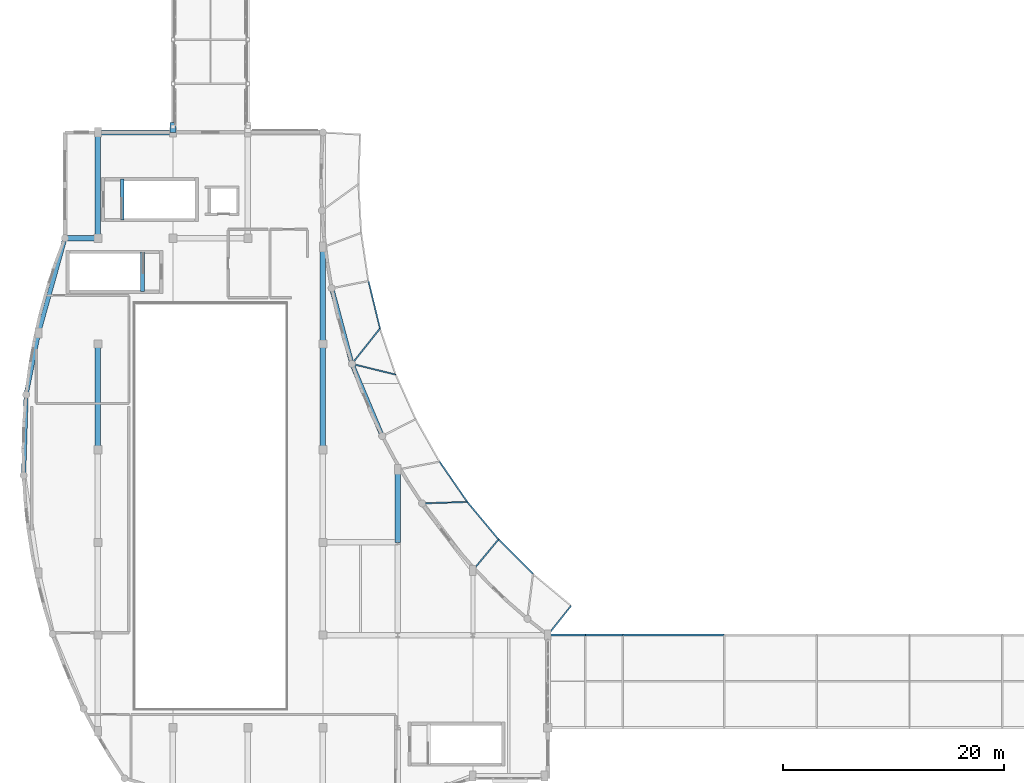
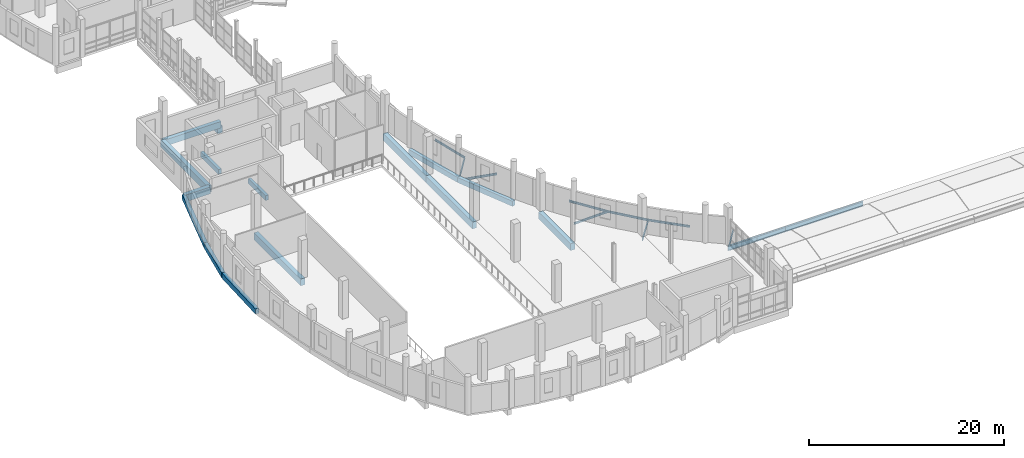
# One storey, part 13 of 106: 27 beams.
"""IFC4 building model written with IfcOpenShell, lengths in metres."""

import ifcopenshell
import ifcopenshell.guid

model = None  # the IFC model being written
_history = None  # IfcOwnerHistory: only IFC2X3 demands one
_inside = {}  # id of a spatial element -> (the spatial element, [elements in it])
_under = {}  # id of a project, library or spatial element -> (it, [spatial elements below it])
_declared = {}  # id of a project -> (the project, [libraries it declares])
_typed = {}  # id of a type object -> (the type object, [elements of that type])
_made_of = {}  # id of a material, layer set ... -> (it, [elements and type objects made of it])


def new_model(schema):
    """Start an empty IFC model of exactly this schema.

    Asked for "IFC4X3", IfcOpenShell would pick the latest addendum, in which some entities
    have other attributes; the version numbers below select the first issue.
    IFC2X3 requires an IfcOwnerHistory on every rooted entity: one is made here for all.
    """
    global model, _history
    if schema == "IFC4X3":
        model = ifcopenshell.file(schema_version=(4, 3, 0, 0))
    else:
        model = ifcopenshell.file(schema=schema)
    _inside.clear()
    _under.clear()
    _declared.clear()
    _typed.clear()
    _made_of.clear()
    _history = None
    if model.schema == "IFC2X3":
        org = make("IfcOrganization", Name="unknown")
        user = make(
            "IfcPersonAndOrganization",
            ThePerson=make("IfcPerson", FamilyName="unknown"),
            TheOrganization=org,
        )
        app = make(
            "IfcApplication",
            ApplicationDeveloper=org,
            Version="unknown",
            ApplicationFullName="unknown",
            ApplicationIdentifier="unknown",
        )
        _history = make(
            "IfcOwnerHistory",
            OwningUser=user,
            OwningApplication=app,
            ChangeAction="ADDED",
            CreationDate=0,
        )
    return model


def make(cls, **values):
    """One entity of the class cls with the attributes given. An attribute that is None is left unset."""
    return model.create_entity(
        cls, **{name: value for name, value in values.items() if value is not None}
    )


def rooted(cls, **values):
    """An entity with a GlobalId (a new one), such as an element, a storey or a relation."""
    return make(cls, GlobalId=ifcopenshell.guid.new(), OwnerHistory=_history, **values)


def si_unit(unit_type, name, prefix=None):
    """IfcSIUnit, for example si_unit("LENGTHUNIT", "METRE", prefix="MILLI")."""
    return make("IfcSIUnit", UnitType=unit_type, Prefix=prefix, Name=name)


def assignment(units):
    """IfcUnitAssignment: the units of a project."""
    return None if units is None else make("IfcUnitAssignment", Units=units)


def point(xyz):
    """IfcCartesianPoint."""
    return None if xyz is None else make("IfcCartesianPoint", Coordinates=xyz)


def direction(xyz):
    """IfcDirection."""
    return None if xyz is None else make("IfcDirection", DirectionRatios=xyz)


def frame(location, z_axis=None, x_axis=None):
    """IfcAxis2Placement3D, a coordinate frame: its origin and axes. An axis left out is left unset."""
    return make(
        "IfcAxis2Placement3D",
        Location=point(location),
        Axis=direction(z_axis),
        RefDirection=direction(x_axis),
    )


def frame_2d(location, x_axis=None):
    """IfcAxis2Placement2D, a coordinate frame in the plane: its origin and x axis."""
    return make(
        "IfcAxis2Placement2D", Location=point(location), RefDirection=direction(x_axis)
    )


def origin():
    """The frame at (0, 0, 0) with its axes left unset."""
    return frame((0.0, 0.0, 0.0))


def origin_2d():
    """The frame at (0, 0) in the plane with its x axis left unset."""
    return frame_2d((0.0, 0.0))


def place(relative_to, where):
    """IfcLocalPlacement: puts the frame where relative to a parent placement (None: the world)."""
    return make(
        "IfcLocalPlacement", PlacementRelTo=relative_to, RelativePlacement=where
    )


def context(
    kind, dimensions, precision=None, world=None, true_north=None, identifier=None
):
    """IfcGeometricRepresentationContext, for example the 3D "Model" context."""
    return make(
        "IfcGeometricRepresentationContext",
        ContextIdentifier=identifier,
        ContextType=kind,
        CoordinateSpaceDimension=dimensions,
        Precision=precision,
        WorldCoordinateSystem=world,
        TrueNorth=true_north,
    )


def subcontext(parent, identifier, kind, view, scale=None):
    """IfcGeometricRepresentationSubContext, for example "Body" below "Model"."""
    return make(
        "IfcGeometricRepresentationSubContext",
        ContextIdentifier=identifier,
        ContextType=kind,
        ParentContext=parent,
        TargetScale=scale,
        TargetView=view,
    )


def project(units=None, contexts=None):
    """IfcProject with its units and contexts."""
    return rooted(
        "IfcProject",
        Name="project",
        RepresentationContexts=contexts,
        UnitsInContext=assignment(units),
    )


def spatial(cls, under=None, at=None, **own):
    """A site, building, storey or space (cls), placed at a placement, below another one or the project."""
    s = rooted(cls, ObjectPlacement=at, **own)
    if under is not None:
        _under.setdefault(under.id(), (under, []))[1].append(s)
    return s


def profile(cls, at=None, kind="AREA", **sizes):
    """A parametric profile (cls). Its sizes go by their IFC names, for example OverallWidth=200.0."""
    return make(cls, ProfileType=kind, Position=at, **sizes)


def rectangle(**sizes):
    """IfcRectangleProfileDef."""
    return profile("IfcRectangleProfileDef", **sizes)


def i_section(**sizes):
    """IfcIShapeProfileDef."""
    return profile("IfcIShapeProfileDef", **sizes)


def extrude(swept, where, along, depth):
    """IfcExtrudedAreaSolid: the profile swept, set in the frame where, extruded along a direction by depth."""
    return make(
        "IfcExtrudedAreaSolid",
        SweptArea=swept,
        Position=where,
        ExtrudedDirection=direction(along),
        Depth=depth,
    )


def shape(context_of_items, identifier, shape_type, items):
    """IfcShapeRepresentation: the items that make up one representation, for example the "Body"."""
    return make(
        "IfcShapeRepresentation",
        ContextOfItems=context_of_items,
        RepresentationIdentifier=identifier,
        RepresentationType=shape_type,
        Items=items,
    )


def material(Name=None, Category=None):
    """IfcMaterial."""
    return make("IfcMaterial", Name=Name, Category=Category)


def material_profile(
    of_material, cross_section, Name=None, Category=None, Priority=None
):
    """IfcMaterialProfile: a cross section and its material."""
    return make(
        "IfcMaterialProfile",
        Name=Name,
        Material=of_material,
        Profile=cross_section,
        Priority=Priority,
        Category=Category,
    )


def profile_set(profiles, Name=None, composite=None):
    """IfcMaterialProfileSet."""
    return make(
        "IfcMaterialProfileSet",
        Name=Name,
        MaterialProfiles=profiles,
        CompositeProfile=composite,
    )


def made_of(thing, what):
    """Note that an element or type object is made of a material, layer set ...; save() writes the relation."""
    if what is not None:
        _made_of.setdefault(what.id(), (what, []))[1].append(thing)
    return thing


def type_object(cls, material=None, **own):
    """A type object (cls), such as IfcWallType, which elements share."""
    return made_of(rooted(cls, **own), material)


def element(
    cls,
    number,
    at=None,
    inside=None,
    cuts=None,
    type_object=None,
    material=None,
    context=None,
    identifier="Body",
    shape_type=None,
    held_by="IfcProductDefinitionShape",
    body=None,
    shapes=None,
    **own,
):
    """One element of the class cls, such as IfcWall. Its Tag is "e" and its number.

    at: its placement. inside: the storey or other place that contains it. cuts: it is an
    opening in that element (IfcRelVoidsElement). A single representation is given by context,
    identifier, shape_type and body (its items); several are given by shapes. held_by: the class
    of the entity that holds the representations. save() writes the other relations.
    """
    e = rooted(cls, Tag="e%d" % number, ObjectPlacement=at, **own)
    if body is not None:
        shapes = [shape(context, identifier, shape_type, body)]
    if shapes is not None:
        e.Representation = make(held_by, Representations=shapes)
    if inside is not None:
        _inside.setdefault(inside.id(), (inside, []))[1].append(e)
    if cuts is not None:
        rooted(
            "IfcRelVoidsElement", RelatingBuildingElement=cuts, RelatedOpeningElement=e
        )
    if type_object is not None:
        _typed.setdefault(type_object.id(), (type_object, []))[1].append(e)
    return made_of(e, material)


def aggregate(whole, parts):
    """IfcRelAggregates: a whole, such as a stair, and the parts it consists of."""
    return rooted("IfcRelAggregates", RelatingObject=whole, RelatedObjects=parts)


def save(model, path):
    """Write the relations noted so far, then the file.

    IfcRelAggregates (storeys below a building ...), IfcRelContainedInSpatialStructure (elements
    in a storey), IfcRelDefinesByType, IfcRelAssociatesMaterial and IfcRelDeclares: one each for
    every whole, place, type object, material and project.
    """
    for whole, parts in _under.values():
        aggregate(whole, parts)
    for where, things in _inside.values():
        rooted(
            "IfcRelContainedInSpatialStructure",
            RelatedElements=things,
            RelatingStructure=where,
        )
    for kind, things in _typed.values():
        rooted("IfcRelDefinesByType", RelatedObjects=things, RelatingType=kind)
    for what, things in _made_of.values():
        rooted("IfcRelAssociatesMaterial", RelatedObjects=things, RelatingMaterial=what)
    for by, libraries in _declared.values():
        rooted("IfcRelDeclares", RelatingContext=by, RelatedDefinitions=libraries)
    model.write(path)


model = new_model("IFC4")

# Units and contexts
model_context = context("Model", 3, precision=1e-05, world=origin(), true_north=direction((0.0, 1.0)))
body_context = subcontext(model_context, "Body", "Model", "MODEL_VIEW")
ifc_project = project(units=[si_unit("LENGTHUNIT", "METRE"), si_unit("AREAUNIT", "SQUARE_METRE"), si_unit("VOLUMEUNIT", "CUBIC_METRE"), si_unit("PLANEANGLEUNIT", "RADIAN"), si_unit("MASSUNIT", "GRAM", prefix="KILO")], contexts=[model_context])

# Site, building, storey
site_placement = place(None, origin())
site = spatial("IfcSite", under=ifc_project, at=site_placement, CompositionType="ELEMENT")
building_placement = place(site_placement, origin())
building = spatial("IfcBuilding", under=site, at=building_placement, Name="Kisaragi Civic Commons", CompositionType="ELEMENT")
storey_placement = place(building_placement, frame((0.0, 0.0, 4.800048828125)))
storey = spatial("IfcBuildingStorey", under=building, at=storey_placement, Name="L01", CompositionType="ELEMENT", Elevation=4.800048828125)

# Beams
ifc_material_1 = material(Name="Concrete Fc36", Category="concrete")
ifc_material_profile_1 = material_profile(ifc_material_1, rectangle(XDim=0.550048828125, YDim=0.85009765625, at=origin_2d()), Name="RC-550x850", Category="concrete")
ifc_profile_set_1 = profile_set([ifc_material_profile_1], Name="Concrete Fc36")
beam_type_1 = type_object("IfcBeamType", Name="CB-01", PredefinedType="BEAM", material=ifc_profile_set_1)
beam_1_placement = place(storey_placement, frame((13.60009765625, 62.39990234375, -1.4951171875), z_axis=(0.0, 1.0, 0.0), x_axis=(-1.0, 0.0, 0.0)))
element("IfcBeam", 1, at=beam_1_placement, inside=storey, type_object=beam_type_1, Name="BR-V2-V1 L01 seismic corbel 65", PredefinedType="BEAM", context=body_context, shape_type="SweptSolid", body=[
    extrude(rectangle(XDim=0.550048828125, YDim=0.85009765625, at=origin_2d()), origin(), (0.0, 0.0, 1.0), 0.8701171875),
])
ifc_material_2 = material(Name="Concrete Fc30", Category="concrete")
ifc_material_profile_2 = material_profile(ifc_material_2, rectangle(XDim=0.5, YDim=0.85009765625, at=origin_2d()), Name="RC-500x850", Category="concrete")
ifc_profile_set_2 = profile_set([ifc_material_profile_2], Name="Concrete Fc30")
beam_type_2 = type_object("IfcBeamType", Name="G-02", PredefinedType="BEAM", material=ifc_profile_set_2)
beam_2_placement = place(storey_placement, frame((3.800048828125, 52.800048828125, -0.72998046875), z_axis=(1.0, 0.0, 0.0), x_axis=(0.0, 1.0, 0.0)))
element("IfcBeam", 2, at=beam_2_placement, inside=storey, type_object=beam_type_2, Name="L01 girder G-02 138", PredefinedType="BEAM", context=body_context, shape_type="SweptSolid", body=[
    extrude(rectangle(XDim=0.5, YDim=0.85009765625, at=origin_2d()), origin(), (0.0, 0.0, 1.0), 3.0),
])
for number, where, z_axis, x_axis, name in (
    (3, (6.800048828125, 33.60009765625, -0.72998046875), (0.0, 1.0, 0.0), (-1.0, 0.0, 0.0), "L01 girder G-02 145"),
    (4, (6.800048828125, 52.800048828125, -0.72998046875), (0.0, 1.0, 0.0), (-1.0, 0.0, 0.0), "L01 girder G-02 146"),
    (5, (27.199951171875, 33.60009765625, -0.72998046875), (0.0, 1.0, 0.0), (-1.0, 0.0, 0.0), "L01 girder G-02 153"),
):
    element("IfcBeam", number, at=place(storey_placement, frame(where, z_axis=z_axis, x_axis=x_axis)), inside=storey, type_object=beam_type_2, Name=name, PredefinedType="BEAM", context=body_context, shape_type="SweptSolid", body=[
        extrude(rectangle(XDim=0.5, YDim=0.85009765625, at=origin_2d()), origin(), (0.0, 0.0, 1.0), 9.599853515625),
    ])
beam_3_placement = place(storey_placement, frame((27.199951171875, 43.199951171875, -0.72998046875), z_axis=(0.0, 1.0, 0.0), x_axis=(-1.0, 0.0, 0.0)))
element("IfcBeam", 6, at=beam_3_placement, inside=storey, type_object=beam_type_2, Name="L01 girder G-02 154", PredefinedType="BEAM", context=body_context, shape_type="SweptSolid", body=[
    extrude(rectangle(XDim=0.5, YDim=0.85009765625, at=origin_2d()), origin(), (0.0, 0.0, 1.0), 8.779052734375),
])
beam_4_placement = place(storey_placement, frame((34.0, 25.199951171875, -0.72998046875), z_axis=(0.0, 1.0, 0.0), x_axis=(-1.0, 0.0, 0.0)))
element("IfcBeam", 7, at=beam_4_placement, inside=storey, type_object=beam_type_2, Name="L01 girder G-02 158", PredefinedType="BEAM", context=body_context, shape_type="SweptSolid", body=[
    extrude(rectangle(XDim=0.5, YDim=0.85009765625, at=origin_2d()), origin(), (0.0, 0.0, 1.0), 6.611328125),
])
ifc_material_3 = material(Name="Steel SN490 (SN490B)", Category="steel")
ifc_material_profile_3 = material_profile(ifc_material_3, i_section(OverallWidth=0.199951171875, OverallDepth=0.60009765625, WebThickness=0.010986328125, FlangeThickness=0.01708984375, FilletRadius=0.012939453125, at=origin_2d()), Name="H-600x200x11x17", Category="steel")
ifc_profile_set_3 = profile_set([ifc_material_profile_3], Name="Steel SN490 (SN490B)")
beam_type_3 = type_object("IfcBeamType", Name="G-10", PredefinedType="BEAM", material=ifc_profile_set_3)
for number, where, z_axis, x_axis, name in (
    (8, (47.60009765625, 16.800048828125, -0.580078125), (1.0, 0.0, 0.0), (0.0, 1.0, 0.0), "BR-V1-V3 L01 bridge girder 214"),
    (9, (51.0, 16.800048828125, -0.580078125), (1.0, 0.0, 0.0), (0.0, 1.0, 0.0), "BR-V1-V3 L01 bridge girder 215"),
):
    element("IfcBeam", number, at=place(storey_placement, frame(where, z_axis=z_axis, x_axis=x_axis)), inside=storey, type_object=beam_type_3, Name=name, PredefinedType="BEAM", context=body_context, shape_type="SweptSolid", body=[
        extrude(i_section(OverallWidth=0.199951171875, OverallDepth=0.60009765625, WebThickness=0.010986328125, FlangeThickness=0.01708984375, FilletRadius=0.012939453125, at=origin_2d()), origin(), (0.0, 0.0, 1.0), 3.39990234375),
    ])
beam_5_placement = place(storey_placement, frame((54.39990234375, 16.800048828125, -0.580078125), z_axis=(1.0, 0.0, 0.0), x_axis=(0.0, 1.0, 0.0)))
element("IfcBeam", 10, at=beam_5_placement, inside=storey, type_object=beam_type_3, Name="BR-V1-V3 L01 bridge girder 216", PredefinedType="BEAM", context=body_context, shape_type="SweptSolid", body=[
    extrude(i_section(OverallWidth=0.199951171875, OverallDepth=0.60009765625, WebThickness=0.010986328125, FlangeThickness=0.01708984375, FilletRadius=0.012939453125, at=origin_2d()), origin(), (0.0, 0.0, 1.0), 9.2001953125),
])
ifc_material_profile_4 = material_profile(ifc_material_2, rectangle(XDim=0.35009765625, YDim=0.60009765625, at=origin_2d()), Name="RC-350x600", Category="concrete")
ifc_profile_set_4 = profile_set([ifc_material_profile_4], Name="Concrete Fc30")
beam_type_4 = type_object("IfcBeamType", Name="G-14", PredefinedType="BEAM", material=ifc_profile_set_4)
beam_6_placement = place(storey_placement, frame((9.0, 54.449951171875, -0.300048828125), z_axis=(0.0, 1.0, 0.0), x_axis=(-1.0, 0.0, 0.0)))
element("IfcBeam", 11, at=beam_6_placement, inside=storey, type_object=beam_type_4, Name="ST-M1 L01 stair landing trimmer beam", PredefinedType="BEAM", context=body_context, shape_type="SweptSolid", body=[
    extrude(rectangle(XDim=0.35009765625, YDim=0.60009765625, at=origin_2d()), origin(), (0.0, 0.0, 1.0), 3.699951171875),
])
beam_7_placement = place(storey_placement, frame((10.85009765625, 51.550048828125, -0.300048828125), z_axis=(0.0, -1.0, 0.0), x_axis=(1.0, 0.0, 0.0)))
element("IfcBeam", 12, at=beam_7_placement, inside=storey, type_object=beam_type_4, Name="ST-M3 L01 stair landing trimmer beam", PredefinedType="BEAM", context=body_context, shape_type="SweptSolid", body=[
    extrude(rectangle(XDim=0.35009765625, YDim=0.60009765625, at=origin_2d()), origin(), (0.0, 0.0, 1.0), 3.60009765625),
])
ifc_material_4 = material(Name="Steel SN400 (SN400B)", Category="steel")
ifc_material_profile_5 = material_profile(ifc_material_4, i_section(OverallWidth=0.125, OverallDepth=0.25, WebThickness=0.006103515625, FlangeThickness=0.009033203125, FilletRadius=0.008056640625, at=origin_2d()), Name="H-250x125x6x9", Category="steel")
ifc_profile_set_5 = profile_set([ifc_material_profile_5], Name="Steel SN400 (SN400B)")
beam_type_5 = type_object("IfcBeamType", Name="J-05", PredefinedType="JOIST", material=ifc_profile_set_5)
beam_8_placement = place(storey_placement, frame((31.333740234375, 48.9072265625, -0.75), z_axis=(0.236196746667, -0.971705252051, 0.0), x_axis=(0.971705252051, 0.236196746667, 0.0)))
element("IfcBeam", 13, at=beam_8_placement, inside=storey, type_object=beam_type_5, Name="VER-V1 L01 edge beam 27", PredefinedType="JOIST", context=body_context, shape_type="SweptSolid", body=[
    extrude(i_section(OverallWidth=0.125, OverallDepth=0.25, WebThickness=0.006103515625, FlangeThickness=0.009033203125, FilletRadius=0.008056640625, at=origin_2d()), origin(), (0.0, 0.0, 1.0), 4.426025390625),
])
beam_9_placement = place(storey_placement, frame((37.7861328125, 32.52001953125, -0.75), z_axis=(0.567025044804, -0.823700551514, 0.0), x_axis=(0.823700551514, 0.567025044804, 0.0)))
element("IfcBeam", 14, at=beam_9_placement, inside=storey, type_object=beam_type_5, Name="VER-V1 L01 edge beam 31", PredefinedType="JOIST", context=body_context, shape_type="SweptSolid", body=[
    extrude(i_section(OverallWidth=0.125, OverallDepth=0.25, WebThickness=0.006103515625, FlangeThickness=0.009033203125, FilletRadius=0.008056640625, at=origin_2d()), origin(), (0.0, 0.0, 1.0), 4.42578125),
])
beam_10_placement = place(storey_placement, frame((40.295654296875, 28.87451171875, -0.75), z_axis=(0.639587386652, -0.768718397618, 0.0), x_axis=(0.768718397618, 0.639587386652, 0.0)))
element("IfcBeam", 15, at=beam_10_placement, inside=storey, type_object=beam_type_5, Name="VER-V1 L01 edge beam 32", PredefinedType="JOIST", context=body_context, shape_type="SweptSolid", body=[
    extrude(i_section(OverallWidth=0.125, OverallDepth=0.25, WebThickness=0.006103515625, FlangeThickness=0.009033203125, FilletRadius=0.008056640625, at=origin_2d()), origin(), (0.0, 0.0, 1.0), 4.426025390625),
])
beam_11_placement = place(storey_placement, frame((43.12646484375, 25.47216796875, -0.75), z_axis=(0.706858504177, -0.707354971052, 0.0), x_axis=(0.707354971052, 0.706858504177, 0.0)))
element("IfcBeam", 16, at=beam_11_placement, inside=storey, type_object=beam_type_5, Name="VER-V1 L01 edge beam 33", PredefinedType="JOIST", context=body_context, shape_type="SweptSolid", body=[
    extrude(i_section(OverallWidth=0.125, OverallDepth=0.25, WebThickness=0.006103515625, FlangeThickness=0.009033203125, FilletRadius=0.008056640625, at=origin_2d()), origin(), (0.0, 0.0, 1.0), 4.42578125),
])
for number, where, z_axis, x_axis, name in (
    (17, (32.379150390625, 44.6064453125, -0.75), (-0.621748921978, -0.783216622666, 0.0), (0.783216622666, -0.621748921978, 0.0), "VER-V1 L01 radial tie 39"),
    (18, (33.8115234375, 40.4189453125, -0.75), (-0.971177554888, 0.238357204383, 0.0), (-0.238357204383, -0.971177554888, 0.0), "VER-V1 L01 radial tie 40"),
    (19, (40.295654296875, 28.87451171875, -0.75), (-0.999469160704, -0.032579085329, 0.0), (0.032579085329, -0.999469160704, 0.0), "VER-V1 L01 radial tie 43"),
):
    element("IfcBeam", number, at=place(storey_placement, frame(where, z_axis=z_axis, x_axis=x_axis)), inside=storey, type_object=beam_type_5, Name=name, PredefinedType="JOIST", context=body_context, shape_type="SweptSolid", body=[
        extrude(i_section(OverallWidth=0.125, OverallDepth=0.25, WebThickness=0.006103515625, FlangeThickness=0.009033203125, FilletRadius=0.008056640625, at=origin_2d()), origin(), (0.0, 0.0, 1.0), 4.09912109375),
    ])
beam_12_placement = place(storey_placement, frame((43.12646484375, 25.47216796875, -0.75), z_axis=(-0.638495634612, -0.769625444344, 0.0), x_axis=(0.769625444344, -0.638495634612, 0.0)))
element("IfcBeam", 20, at=beam_12_placement, inside=storey, type_object=beam_type_5, Name="VER-V1 L01 radial tie 44", PredefinedType="JOIST", context=body_context, shape_type="SweptSolid", body=[
    extrude(i_section(OverallWidth=0.125, OverallDepth=0.25, WebThickness=0.006103515625, FlangeThickness=0.009033203125, FilletRadius=0.008056640625, at=origin_2d()), origin(), (0.0, 0.0, 1.0), 3.6435546875),
])
beam_13_placement = place(storey_placement, frame((49.71630859375, 19.4609375, -0.75), z_axis=(-0.622450594346, -0.782659094113, 0.0), x_axis=(0.782659094113, -0.622450594346, 0.0)))
element("IfcBeam", 21, at=beam_13_placement, inside=storey, type_object=beam_type_5, Name="VER-V1 L01 radial tie 46", PredefinedType="JOIST", context=body_context, shape_type="SweptSolid", body=[
    extrude(i_section(OverallWidth=0.125, OverallDepth=0.25, WebThickness=0.006103515625, FlangeThickness=0.009033203125, FilletRadius=0.008056640625, at=origin_2d()), origin(), (0.0, 0.0, 1.0), 3.39990234375),
])
ifc_material_profile_6 = material_profile(ifc_material_2, rectangle(XDim=0.449951171875, YDim=0.800048828125, at=origin_2d()), Name="RC-450x800", Category="concrete")
ifc_profile_set_6 = profile_set([ifc_material_profile_6], Name="Concrete Fc30")
beam_type_6 = type_object("IfcBeamType", Name="SPB-01", PredefinedType="SPANDREL", material=ifc_profile_set_6)
beam_14_placement = place(storey_placement, frame((6.800048828125, 62.39990234375, -0.705078125), z_axis=(1.0, 0.0, 0.0), x_axis=(0.0, 1.0, 0.0)))
element("IfcBeam", 22, at=beam_14_placement, inside=storey, type_object=beam_type_6, Name="L01 girder SPB-01 140", PredefinedType="SPANDREL", context=body_context, shape_type="SweptSolid", body=[
    extrude(rectangle(XDim=0.449951171875, YDim=0.800048828125, at=origin_2d()), origin(), (0.0, 0.0, 1.0), 6.800048828125),
])
ifc_material_profile_7 = material_profile(ifc_material_2, rectangle(XDim=0.39990234375, YDim=0.64990234375, at=origin_2d()), Name="RC-400x650", Category="concrete")
ifc_profile_set_7 = profile_set([ifc_material_profile_7], Name="Concrete Fc30")
beam_type_7 = type_object("IfcBeamType", Name="SPB-02", PredefinedType="SPANDREL", material=ifc_profile_set_7)
beam_15_placement = place(storey_placement, frame((27.996826171875, 48.25537109375, -0.630126953125), z_axis=(0.258263977371, -0.966074385331, 0.0), x_axis=(0.966074385331, 0.258263977371, 0.0)))
element("IfcBeam", 23, at=beam_15_placement, inside=storey, type_object=beam_type_7, Name="L01 curved spandrel/ring girder SPB-02 160", PredefinedType="SPANDREL", context=body_context, shape_type="SweptSolid", body=[
    extrude(rectangle(XDim=0.39990234375, YDim=0.64990234375, at=origin_2d()), origin(), (0.0, 0.0, 1.0), 7.100341796875),
])
beam_16_placement = place(storey_placement, frame((29.83056640625, 41.39599609375, -0.630126953125), z_axis=(0.387489687919, -0.921874037901, 0.0), x_axis=(0.921874037901, 0.387489687919, 0.0)))
element("IfcBeam", 24, at=beam_16_placement, inside=storey, type_object=beam_type_7, Name="L01 curved spandrel/ring girder SPB-02 161", PredefinedType="SPANDREL", context=body_context, shape_type="SweptSolid", body=[
    extrude(rectangle(XDim=0.39990234375, YDim=0.64990234375, at=origin_2d()), origin(), (0.0, 0.0, 1.0), 7.10009765625),
])
beam_17_placement = place(storey_placement, frame((3.800048828125, 52.800048828125, -0.630126953125), z_axis=(-0.268592060061, -0.963254019079, 0.0), x_axis=(0.963254019079, -0.268592060061, 0.0)))
element("IfcBeam", 25, at=beam_17_placement, inside=storey, type_object=beam_type_7, Name="L01 curved spandrel/ring girder SPB-02 164", PredefinedType="SPANDREL", context=body_context, shape_type="SweptSolid", body=[
    extrude(rectangle(XDim=0.39990234375, YDim=0.64990234375, at=origin_2d()), origin(), (0.0, 0.0, 1.0), 8.93603515625),
])
beam_18_placement = place(storey_placement, frame((1.39990234375, 44.1923828125, -0.630126953125), z_axis=(-0.196289136479, -0.980546059551, 0.0), x_axis=(0.980546059551, -0.196289136479, 0.0)))
element("IfcBeam", 26, at=beam_18_placement, inside=storey, type_object=beam_type_7, Name="L01 curved spandrel/ring girder SPB-02 165", PredefinedType="SPANDREL", context=body_context, shape_type="SweptSolid", body=[
    extrude(rectangle(XDim=0.39990234375, YDim=0.64990234375, at=origin_2d()), origin(), (0.0, 0.0, 1.0), 5.698974609375),
])
beam_19_placement = place(storey_placement, frame((0.28125, 38.604248046875, -0.630126953125), z_axis=(-0.031338724546, -0.999508821544, 0.0), x_axis=(0.999508821544, -0.031338724546, 0.0)))
element("IfcBeam", 27, at=beam_19_placement, inside=storey, type_object=beam_type_7, Name="L01 curved spandrel/ring girder SPB-02 166", PredefinedType="SPANDREL", context=body_context, shape_type="SweptSolid", body=[
    extrude(rectangle(XDim=0.39990234375, YDim=0.64990234375, at=origin_2d()), origin(), (0.0, 0.0, 1.0), 7.330810546875),
])

save(model, "model.ifc")
